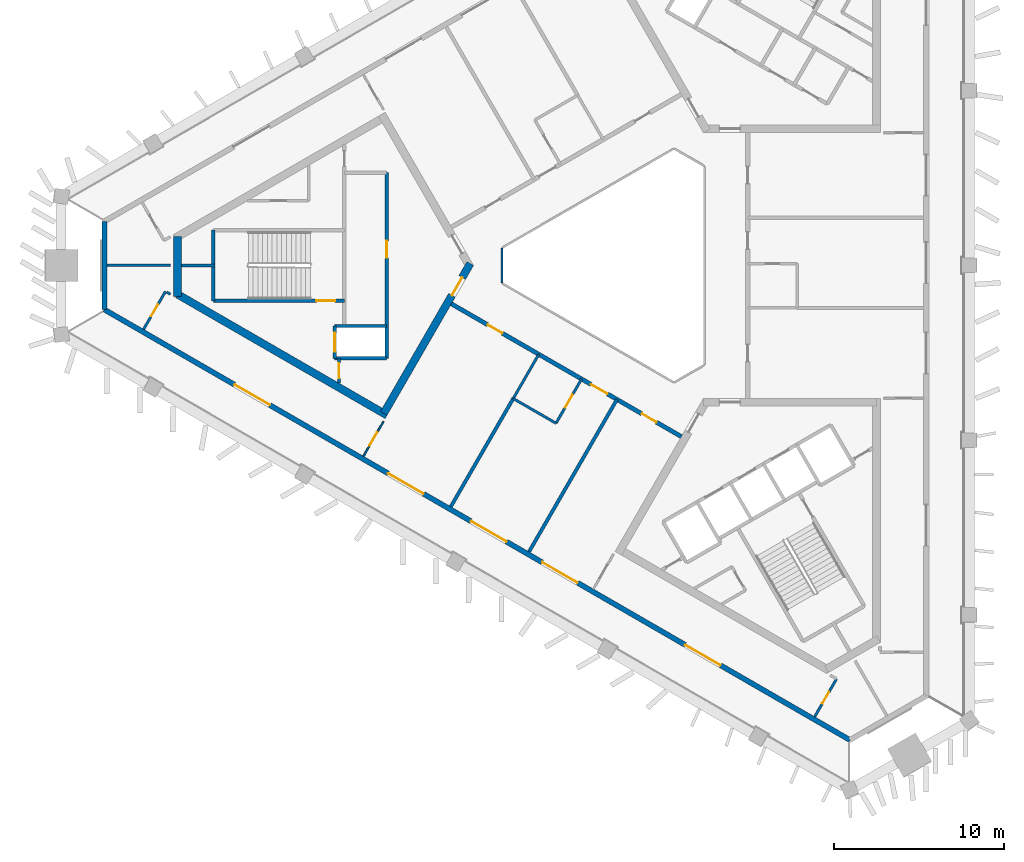
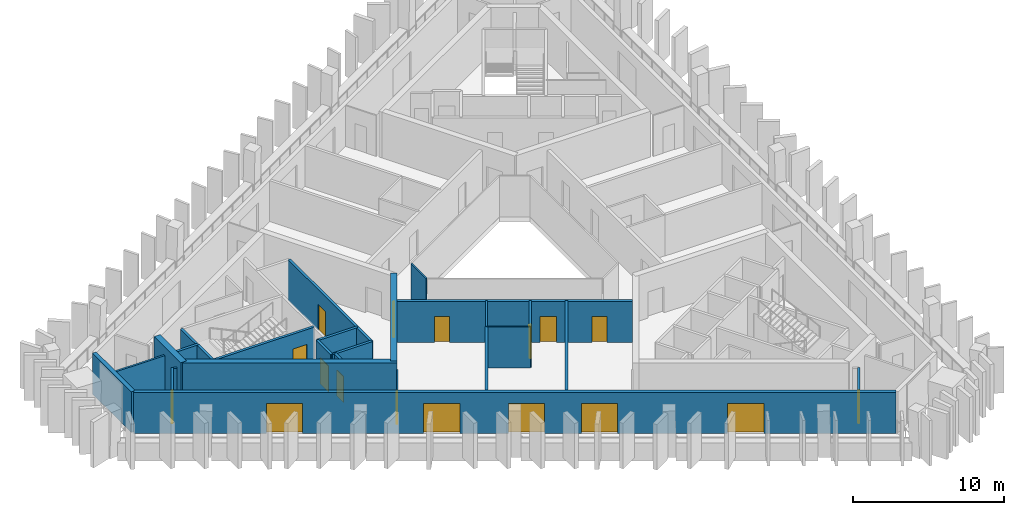
# One storey, part 2 of 9: 25 walls, 17 doors, 17 openings.
"""IFC4 building model written with IfcOpenShell, lengths in metres."""

from ifc_helpers import new_model, si_unit, direction, frame, frame_2d, origin, place, context, subcontext, project, spatial, rectangle, extrude, material, layer, layer_set, type_object, element, fill, save


model = new_model("IFC4")

# Units and contexts
model_context = context("Model", 3, precision=1e-05, world=origin(), true_north=direction((0.0, 1.0)))
body_context = subcontext(model_context, "Body", "Model", "MODEL_VIEW")
ifc_project = project(units=[si_unit("LENGTHUNIT", "METRE"), si_unit("AREAUNIT", "SQUARE_METRE"), si_unit("VOLUMEUNIT", "CUBIC_METRE"), si_unit("PLANEANGLEUNIT", "RADIAN"), si_unit("MASSUNIT", "GRAM", prefix="KILO")], contexts=[model_context])

# Site, building, storey
site_placement = place(None, origin())
site = spatial("IfcSite", under=ifc_project, at=site_placement, CompositionType="ELEMENT")
building_placement = place(site_placement, origin())
building = spatial("IfcBuilding", under=site, at=building_placement, Name="Jabali Bay Hotel Tower and Convention Centre", CompositionType="ELEMENT")
storey_placement = place(building_placement, frame((0.0, 0.0, 224.300048828125)))
storey = spatial("IfcBuildingStorey", under=building, at=storey_placement, Name="L55", CompositionType="ELEMENT", Elevation=224.300048828125)

# Walls
ifc_material_1 = material(Name="Fire-resistant glazing", Category="glass")
ifc_layer_1 = layer(ifc_material_1, 0.10009765625)
ifc_layer_set_1 = layer_set([ifc_layer_1], Name="Fire-resistant glazing")
wall_type_1 = type_object("IfcWallType", Name="Atrium glazed screen 100", PredefinedType="PARTITIONING", material=ifc_layer_set_1)
wall_1_placement = place(storey_placement, frame((67.672119140625, 81.0, 0.0), z_axis=(0.0, 0.0, 1.0), x_axis=(0.0, -1.0, 0.0)))
element("IfcWall", 1, at=wall_1_placement, inside=storey, type_object=wall_type_1, Name="Atrium screen 4 L55", PredefinedType="PARTITIONING", context=body_context, shape_type="SweptSolid", body=[
    extrude(rectangle(XDim=2.0, YDim=0.10009765625, at=frame_2d((1.0, 0.0))), origin(), (0.0, 0.0, 1.0), 3.300048828125),
])
ifc_material_2 = material(Name="Concrete C40", Category="concrete")
ifc_layer_2 = layer(ifc_material_2, 0.199951171875)
ifc_layer_set_2 = layer_set([ifc_layer_2], Name="Concrete C40")
wall_type_2 = type_object("IfcWallType", Name="Core partition wall 200", PredefinedType="PARTITIONING", material=ifc_layer_set_2)
wall_2_placement = place(storey_placement, frame((50.820068359375, 80.0, 0.0), z_axis=(0.0, 0.0, 1.0), x_axis=(-1.0, 0.0, 0.0)))
element("IfcWall", 2, at=wall_2_placement, inside=storey, type_object=wall_type_2, Name="Core wall 0.3 L55", PredefinedType="PARTITIONING", context=body_context, shape_type="SweptSolid", body=[
    extrude(rectangle(XDim=1.97314453125, YDim=0.199951171875, at=frame_2d((0.986572265625, 0.0))), origin(), (0.0, 0.0, 1.0), 3.300048828125),
])

# Wall, opening, door
wall_3_placement = place(storey_placement, frame((58.10009765625, 74.550048828125, 0.0), z_axis=(0.0, 0.0, 1.0), x_axis=(0.0, -1.0, 0.0)))
wall_3 = element("IfcWall", 3, at=wall_3_placement, inside=storey, type_object=wall_type_2, Name="Core wall 0.9 L55", PredefinedType="PARTITIONING", context=body_context, shape_type="SweptSolid", body=[
    extrude(rectangle(XDim=1.455078125, YDim=0.199951171875, at=frame_2d((0.7275390625, 0.0))), origin(), (0.0, 0.0, 1.0), 3.300048828125),
])
opening_1_placement = place(wall_3_placement, frame((0.277587890625, 0.0, 0.0)))
opening_1 = element("IfcOpeningElement", 4, at=opening_1_placement, cuts=wall_3, Name="Opening D1190", PredefinedType="OPENING", context=body_context, shape_type="SweptSolid", body=[
    extrude(rectangle(XDim=0.89990234375, YDim=2.10009765625, at=frame_2d((0.449951171875, 1.050048828125))), frame((0.0, 0.1103515625, 0.0), z_axis=(0.0, -1.0, 0.0), x_axis=(1.0, 0.0, 0.0)), (0.0, 0.0, 1.0), 0.220947265625),
])
ifc_material_3 = material(Name="Fire-rated steel door", Category="steel")
door_type_1 = type_object("IfcDoorType", Name="Vestibule fire door 900 x 2100", OperationType="NOTDEFINED", PredefinedType="NOTDEFINED", material=ifc_material_3)
door_1_placement = place(opening_1_placement, origin())
door_1 = element("IfcDoor", 5, at=door_1_placement, inside=storey, type_object=door_type_1, Name="Vestibule fire door D1190", OperationType="SINGLE_SWING_LEFT", OverallHeight=2.10009765625, OverallWidth=0.89990234375, PredefinedType="NOTDEFINED", context=body_context, shape_type="SweptSolid", body=[
    extrude(rectangle(XDim=0.89990234375, YDim=2.10009765625, at=frame_2d((0.449951171875, 1.050048828125))), frame((0.0, 0.02490234375, 0.0), z_axis=(0.0, -1.0, 0.0), x_axis=(1.0, 0.0, 0.0)), (0.0, 0.0, 1.0), 0.050048828125),
])
fill(opening_1, door_1)

ifc_layer_3 = layer(ifc_material_2, 0.199951171875)
ifc_layer_set_3 = layer_set([ifc_layer_3], Name="Concrete C40")
wall_type_3 = type_object("IfcWallType", Name="Core stair wall 200", PredefinedType="SOLIDWALL", material=ifc_layer_set_3)
wall_4_placement = place(storey_placement, frame((58.419921875, 77.925048828125, 0.0), z_axis=(0.0, 0.0, 1.0), x_axis=(-1.0, 0.0, 0.0)))
wall_4 = element("IfcWall", 6, at=wall_4_placement, inside=storey, type_object=wall_type_3, Name="Core wall 0.4 L55", PredefinedType="SOLIDWALL", context=body_context, shape_type="SweptSolid", body=[
    extrude(rectangle(XDim=7.699951171875, YDim=0.199951171875, at=frame_2d((3.85009765625, 0.0))), origin(), (0.0, 0.0, 1.0), 3.300048828125),
])
opening_2_placement = place(wall_4_placement, frame((0.550048828125, 0.0, 0.0)))
opening_2 = element("IfcOpeningElement", 7, at=opening_2_placement, cuts=wall_4, Name="Opening D1192", PredefinedType="OPENING", context=body_context, shape_type="SweptSolid", body=[
    extrude(rectangle(XDim=1.10009765625, YDim=2.10009765625, at=frame_2d((0.550048828125, 1.050048828125))), frame((0.0, 0.1103515625, 0.0), z_axis=(0.0, -1.0, 0.0), x_axis=(1.0, 0.0, 0.0)), (0.0, 0.0, 1.0), 0.220947265625),
])
door_type_2 = type_object("IfcDoorType", Name="Stair fire door 1100 x 2100", OperationType="NOTDEFINED", PredefinedType="NOTDEFINED", material=ifc_material_3)
door_2_placement = place(opening_2_placement, origin())
door_2 = element("IfcDoor", 8, at=door_2_placement, inside=storey, type_object=door_type_2, Name="Stair fire door D1192", OperationType="SINGLE_SWING_RIGHT", OverallHeight=2.10009765625, OverallWidth=1.10009765625, PredefinedType="NOTDEFINED", context=body_context, shape_type="SweptSolid", body=[
    extrude(rectangle(XDim=1.10009765625, YDim=2.10009765625, at=frame_2d((0.550048828125, 1.050048828125))), frame((0.0, 0.02490234375, 0.0), z_axis=(0.0, -1.0, 0.0), x_axis=(1.0, 0.0, 0.0)), (0.0, 0.0, 1.0), 0.050048828125),
])
fill(opening_2, door_2)

# Walls
for number, where, z_axis, x_axis, name in (
    (9, (60.89990234375, 76.449951171875, 0.0), (0.0, 0.0, 1.0), (-1.0, 0.0, 0.0), "Core wall 0.5 L55"),
    (10, (60.89990234375, 74.550048828125, 0.0), (0.0, 0.0, 1.0), (-1.0, 0.0, 0.0), "Core wall 0.6 L55"),
):
    element("IfcWall", number, at=place(storey_placement, frame(where, z_axis=z_axis, x_axis=x_axis)), inside=storey, type_object=wall_type_3, Name=name, PredefinedType="SOLIDWALL", context=body_context, shape_type="SweptSolid", body=[
        extrude(rectangle(XDim=3.0498046875, YDim=0.199951171875, at=frame_2d((1.52490234375, 0.0))), origin(), (0.0, 0.0, 1.0), 3.300048828125),
    ])

# Wall, opening, door
wall_5_placement = place(storey_placement, frame((60.89990234375, 85.449951171875, 0.0), z_axis=(0.0, 0.0, 1.0), x_axis=(0.0, -1.0, 0.0)))
wall_5 = element("IfcWall", 11, at=wall_5_placement, inside=storey, type_object=wall_type_3, Name="Core wall 0.7 L55", PredefinedType="SOLIDWALL", context=body_context, shape_type="SweptSolid", body=[
    extrude(rectangle(XDim=10.89990234375, YDim=0.199951171875, at=frame_2d((5.449951171875, 0.0))), origin(), (0.0, 0.0, 1.0), 3.300048828125),
])
opening_3_placement = place(wall_5_placement, frame((4.0, 0.0, 0.0)))
opening_3 = element("IfcOpeningElement", 12, at=opening_3_placement, cuts=wall_5, Name="Opening D1189", PredefinedType="OPENING", context=body_context, shape_type="SweptSolid", body=[
    extrude(rectangle(XDim=1.0, YDim=2.10009765625, at=frame_2d((0.5, 1.050048828125))), frame((0.0, 0.1103515625, 0.0), z_axis=(0.0, -1.0, 0.0), x_axis=(1.0, 0.0, 0.0)), (0.0, 0.0, 1.0), 0.220947265625),
])
door_type_3 = type_object("IfcDoorType", Name="Core room door 1000 x 2100", OperationType="NOTDEFINED", PredefinedType="NOTDEFINED", material=ifc_material_3)
door_3_placement = place(opening_3_placement, origin())
door_3 = element("IfcDoor", 13, at=door_3_placement, inside=storey, type_object=door_type_3, Name="Core room door D1189", OperationType="SINGLE_SWING_RIGHT", OverallHeight=2.10009765625, OverallWidth=1.0, PredefinedType="NOTDEFINED", context=body_context, shape_type="SweptSolid", body=[
    extrude(rectangle(XDim=1.0, YDim=2.10009765625, at=frame_2d((0.5, 1.050048828125))), frame((0.0, 0.02490234375, 0.0), z_axis=(0.0, -1.0, 0.0), x_axis=(1.0, 0.0, 0.0)), (0.0, 0.0, 1.0), 0.050048828125),
])
fill(opening_3, door_3)

wall_6_placement = place(storey_placement, frame((57.85009765625, 76.449951171875, 0.0), z_axis=(0.0, 0.0, 1.0), x_axis=(0.0, -1.0, 0.0)))
wall_6 = element("IfcWall", 14, at=wall_6_placement, inside=storey, type_object=wall_type_3, Name="Core wall 0.10 L55", PredefinedType="SOLIDWALL", context=body_context, shape_type="SweptSolid", body=[
    extrude(rectangle(XDim=1.89990234375, YDim=0.199951171875, at=frame_2d((0.949951171875, 0.0))), origin(), (0.0, 0.0, 1.0), 3.300048828125),
])
opening_4_placement = place(wall_6_placement, frame((0.39990234375, 0.0, 0.0)))
opening_4 = element("IfcOpeningElement", 15, at=opening_4_placement, cuts=wall_6, Name="Opening LD5-L55", PredefinedType="OPENING", context=body_context, shape_type="SweptSolid", body=[
    extrude(rectangle(XDim=1.10009765625, YDim=2.10009765625, at=frame_2d((0.550048828125, 1.050048828125))), frame((0.0, 0.1103515625, 0.0), z_axis=(0.0, -1.0, 0.0), x_axis=(1.0, 0.0, 0.0)), (0.0, 0.0, 1.0), 0.220947265625),
])
ifc_material_4 = material(Name="Stainless steel landing door", Category="steel")
door_type_4 = type_object("IfcDoorType", Name="Landing door 1100 x 2100", OperationType="NOTDEFINED", PredefinedType="NOTDEFINED", material=ifc_material_4)
door_4_placement = place(opening_4_placement, origin())
door_4 = element("IfcDoor", 16, at=door_4_placement, inside=storey, type_object=door_type_4, Name="Landing doors LD5-L55", OperationType="SLIDING_TO_RIGHT", OverallHeight=2.10009765625, OverallWidth=1.10009765625, PredefinedType="NOTDEFINED", context=body_context, shape_type="SweptSolid", body=[
    extrude(rectangle(XDim=1.10009765625, YDim=2.10009765625, at=frame_2d((0.550048828125, 1.050048828125))), frame((0.0, 0.02490234375, 0.0), z_axis=(0.0, -1.0, 0.0), x_axis=(1.0, 0.0, 0.0)), (0.0, 0.0, 1.0), 0.050048828125),
])
fill(opening_4, door_4)

# Walls
wall_7_placement = place(storey_placement, frame((50.719970703125, 82.074951171875, 0.0), z_axis=(0.0, 0.0, 1.0), x_axis=(0.0, -1.0, 0.0)))
element("IfcWall", 17, at=wall_7_placement, inside=storey, type_object=wall_type_3, Name="Core wall 0.12 L55", PredefinedType="SOLIDWALL", context=body_context, shape_type="SweptSolid", body=[
    extrude(rectangle(XDim=4.14990234375, YDim=0.199951171875, at=frame_2d((2.074951171875, 0.0))), origin(), (0.0, 0.0, 1.0), 3.300048828125),
])
ifc_material_5 = material(Name="Concrete C60", Category="concrete")
ifc_layer_4 = layer(ifc_material_5, 0.449951171875)
ifc_layer_set_4 = layer_set([ifc_layer_4], Name="Concrete C60")
wall_type_4 = type_object("IfcWallType", Name="Core wall 450", PredefinedType="SHEAR", material=ifc_layer_set_4)
wall_8_placement = place(storey_placement, frame((48.621826171875, 81.692626953125, 0.0), z_axis=(0.0, 0.0, 1.0), x_axis=(0.0, -1.0, 0.0)))
element("IfcWall", 18, at=wall_8_placement, inside=storey, type_object=wall_type_4, Name="Core wall 1.3 L55", PredefinedType="SHEAR", context=body_context, shape_type="SweptSolid", body=[
    extrude(rectangle(XDim=3.515380859375, YDim=0.449951171875, at=frame_2d((1.7578125, 0.0))), origin(), (0.0, 0.0, 1.0), 3.699951171875),
])
wall_9_placement = place(storey_placement, frame((48.621826171875, 78.307373046875, 0.0), z_axis=(0.0, 0.0, 1.0), x_axis=(0.86602701116, -0.499997215934, 0.0)))
element("IfcWall", 19, at=wall_9_placement, inside=storey, type_object=wall_type_4, Name="Core wall 1.4 L55", PredefinedType="SHEAR", context=body_context, shape_type="SweptSolid", body=[
    extrude(rectangle(XDim=14.20361328125, YDim=0.449951171875, at=frame_2d((7.101806640625, 0.0))), origin(), (0.0, 0.0, 1.0), 3.699951171875),
])

# Wall, opening, door
wall_10_placement = place(storey_placement, frame((60.7275390625, 71.318115234375, 0.0), z_axis=(0.0, 0.0, 1.0), x_axis=(0.500012416173, 0.866018235185, 0.0)))
wall_10 = element("IfcWall", 20, at=wall_10_placement, inside=storey, type_object=wall_type_4, Name="Core wall 1.5 L55", PredefinedType="SHEAR", context=body_context, shape_type="SweptSolid", body=[
    extrude(rectangle(XDim=10.155029296875, YDim=0.449951171875, at=frame_2d((5.07763671875, 0.0))), origin(), (0.0, 0.0, 1.0), 3.699951171875),
])
opening_5_placement = place(wall_10_placement, frame((8.0048828125, 0.0, 0.0)))
opening_5 = element("IfcOpeningElement", 21, at=opening_5_placement, cuts=wall_10, Name="Opening D1188", PredefinedType="OPENING", context=body_context, shape_type="SweptSolid", body=[
    extrude(rectangle(XDim=1.199951171875, YDim=2.10009765625, at=frame_2d((0.60009765625, 1.050048828125))), frame((0.0, 0.2353515625, 0.0), z_axis=(0.0, -1.0, 0.0), x_axis=(1.0, 0.0, 0.0)), (0.0, 0.0, 1.0), 0.470947265625),
])
door_type_5 = type_object("IfcDoorType", Name="Corridor end fire door 1200 x 2100", OperationType="NOTDEFINED", PredefinedType="NOTDEFINED", material=ifc_material_3)
door_5_placement = place(opening_5_placement, origin())
door_5 = element("IfcDoor", 22, at=door_5_placement, inside=storey, type_object=door_type_5, Name="Corridor end fire door D1188", OperationType="SINGLE_SWING_LEFT", OverallHeight=2.10009765625, OverallWidth=1.199951171875, PredefinedType="NOTDEFINED", context=body_context, shape_type="SweptSolid", body=[
    extrude(rectangle(XDim=1.199951171875, YDim=2.10009765625, at=frame_2d((0.60009765625, 1.050048828125))), frame((0.0, 0.02490234375, 0.0), z_axis=(0.0, -1.0, 0.0), x_axis=(1.0, 0.0, 0.0)), (0.0, 0.0, 1.0), 0.050048828125),
])
fill(opening_5, door_5)

# Wall, openings, doors
ifc_layer_5 = layer(ifc_material_5, 0.25)
ifc_layer_set_5 = layer_set([ifc_layer_5], Name="Concrete C60")
wall_type_5 = type_object("IfcWallType", Name="Corridor wall 250", PredefinedType="SHEAR", material=ifc_layer_set_5)
wall_11_placement = place(storey_placement, frame((64.699951171875, 77.748291015625, 0.0), z_axis=(0.0, 0.0, 1.0), x_axis=(0.866026492143, -0.499998114903, 0.0)))
wall_11 = element("IfcWall", 23, at=wall_11_placement, inside=storey, type_object=wall_type_5, Name="Corridor wall 3 L55", PredefinedType="SHEAR", context=body_context, shape_type="SweptSolid", body=[
    extrude(rectangle(XDim=15.58837890625, YDim=0.25, at=frame_2d((7.794189453125, 0.0))), origin(), (0.0, 0.0, 1.0), 3.300048828125),
])
opening_6_placement = place(wall_11_placement, frame((2.4619140625, 0.0, 0.0)))
opening_6 = element("IfcOpeningElement", 24, at=opening_6_placement, cuts=wall_11, Name="Opening 5517", PredefinedType="OPENING", context=body_context, shape_type="SweptSolid", body=[
    extrude(rectangle(XDim=1.0, YDim=2.10009765625, at=frame_2d((0.5, 1.050048828125))), frame((0.0, 0.135498046875, 0.0), z_axis=(0.0, -1.0, 0.0), x_axis=(1.0, 0.0, 0.0)), (0.0, 0.0, 1.0), 0.27099609375),
])
opening_7_placement = place(wall_11_placement, frame((9.4736328125, 0.0, 0.0)))
opening_7 = element("IfcOpeningElement", 25, at=opening_7_placement, cuts=wall_11, Name="Opening 5521", PredefinedType="OPENING", context=body_context, shape_type="SweptSolid", body=[
    extrude(rectangle(XDim=1.10009765625, YDim=2.10009765625, at=frame_2d((0.550048828125, 1.050048828125))), frame((0.0, 0.135498046875, 0.0), z_axis=(0.0, -1.0, 0.0), x_axis=(1.0, 0.0, 0.0)), (0.0, 0.0, 1.0), 0.27099609375),
])
opening_8_placement = place(wall_11_placement, frame((12.906005859375, 0.0, 0.0)))
opening_8 = element("IfcOpeningElement", 26, at=opening_8_placement, cuts=wall_11, Name="Opening 5522", PredefinedType="OPENING", context=body_context, shape_type="SweptSolid", body=[
    extrude(rectangle(XDim=1.0, YDim=2.10009765625, at=frame_2d((0.5, 1.050048828125))), frame((0.0, 0.135498046875, 0.0), z_axis=(0.0, -1.0, 0.0), x_axis=(1.0, 0.0, 0.0)), (0.0, 0.0, 1.0), 0.27099609375),
])
ifc_material_6 = material(Name="Timber", Category="wood")
door_type_6 = type_object("IfcDoorType", Name="Accessible guest room door 1100 x 2100", OperationType="NOTDEFINED", PredefinedType="NOTDEFINED", material=ifc_material_6)
door_6_placement = place(opening_7_placement, origin())
door_6 = element("IfcDoor", 27, at=door_6_placement, inside=storey, type_object=door_type_6, Name="Door 5521", OperationType="SINGLE_SWING_RIGHT", OverallHeight=2.10009765625, OverallWidth=1.10009765625, PredefinedType="NOTDEFINED", context=body_context, shape_type="SweptSolid", body=[
    extrude(rectangle(XDim=1.10009765625, YDim=2.10009765625, at=frame_2d((0.550048828125, 1.050048828125))), frame((0.0, 0.02490234375, 0.0), z_axis=(0.0, -1.0, 0.0), x_axis=(1.0, 0.0, 0.0)), (0.0, 0.0, 1.0), 0.050048828125),
])
fill(opening_7, door_6)
door_type_7 = type_object("IfcDoorType", Name="Guest room door 1000 x 2100", OperationType="NOTDEFINED", PredefinedType="NOTDEFINED", material=ifc_material_6)
door_7_placement = place(opening_6_placement, origin())
door_7 = element("IfcDoor", 28, at=door_7_placement, inside=storey, type_object=door_type_7, Name="Door 5517", OperationType="SINGLE_SWING_LEFT", OverallHeight=2.10009765625, OverallWidth=1.0, PredefinedType="NOTDEFINED", context=body_context, shape_type="SweptSolid", body=[
    extrude(rectangle(XDim=1.0, YDim=2.10009765625, at=frame_2d((0.5, 1.050048828125))), frame((0.0, 0.02490234375, 0.0), z_axis=(0.0, -1.0, 0.0), x_axis=(1.0, 0.0, 0.0)), (0.0, 0.0, 1.0), 0.050048828125),
])
fill(opening_6, door_7)
door_8_placement = place(opening_8_placement, origin())
door_8 = element("IfcDoor", 29, at=door_8_placement, inside=storey, type_object=door_type_7, Name="Door 5522", OperationType="SINGLE_SWING_RIGHT", OverallHeight=2.10009765625, OverallWidth=1.0, PredefinedType="NOTDEFINED", context=body_context, shape_type="SweptSolid", body=[
    extrude(rectangle(XDim=1.0, YDim=2.10009765625, at=frame_2d((0.5, 1.050048828125))), frame((0.0, 0.02490234375, 0.0), z_axis=(0.0, -1.0, 0.0), x_axis=(1.0, 0.0, 0.0)), (0.0, 0.0, 1.0), 0.050048828125),
])
fill(opening_8, door_8)

# Wall
ifc_layer_6 = layer(ifc_material_2, 0.300048828125)
ifc_layer_set_6 = layer_set([ifc_layer_6], Name="Concrete C40")
wall_type_6 = type_object("IfcWallType", Name="External wall 300", PredefinedType="SOLIDWALL", material=ifc_layer_set_6)
wall_12_placement = place(storey_placement, frame((44.32373046875, 77.41455078125, 0.0), z_axis=(0.0, 0.0, 1.0), x_axis=(0.0, 1.0, 0.0)))
element("IfcWall", 30, at=wall_12_placement, inside=storey, type_object=wall_type_6, Name="External wall west chamfer L55", PredefinedType="SOLIDWALL", context=body_context, shape_type="SweptSolid", body=[
    extrude(rectangle(XDim=5.1708984375, YDim=0.300048828125, at=frame_2d((2.58544921875, 0.0))), origin(), (0.0, 0.0, 1.0), 3.300048828125),
])

# Wall, openings, doors
wall_13_placement = place(storey_placement, frame((88.09912109375, 52.140869140625, 0.0), z_axis=(0.0, 0.0, 1.0), x_axis=(-0.86602584856, 0.499999229625, 0.0)))
wall_13 = element("IfcWall", 31, at=wall_13_placement, inside=storey, type_object=wall_type_6, Name="External wall south-west face L55", PredefinedType="SOLIDWALL", context=body_context, shape_type="SweptSolid", body=[
    extrude(rectangle(XDim=50.54736328125, YDim=0.300048828125, at=frame_2d((25.273681640625, 0.0))), origin(), (0.0, 0.0, 1.0), 3.300048828125),
])
opening_9_placement = place(wall_13_placement, frame((23.294189453125, 0.0, 0.0)))
opening_9 = element("IfcOpeningElement", 32, at=opening_9_placement, cuts=wall_13, Name="Opening SD1", PredefinedType="OPENING", context=body_context, shape_type="SweptSolid", body=[
    extrude(rectangle(XDim=2.39990234375, YDim=2.39990234375, at=frame_2d((1.199951171875, 1.199951171875))), frame((0.0, 0.16064453125, 0.0), z_axis=(0.0, -1.0, 0.0), x_axis=(1.0, 0.0, 0.0)), (0.0, 0.0, 1.0), 0.321044921875),
])
opening_10_placement = place(wall_13_placement, frame((28.906005859375, 0.0, 0.0)))
opening_10 = element("IfcOpeningElement", 33, at=opening_10_placement, cuts=wall_13, Name="Opening SD1", PredefinedType="OPENING", context=body_context, shape_type="SweptSolid", body=[
    extrude(rectangle(XDim=2.39990234375, YDim=2.39990234375, at=frame_2d((1.199951171875, 1.199951171875))), frame((0.0, 0.16064453125, 0.0), z_axis=(0.0, -1.0, 0.0), x_axis=(1.0, 0.0, 0.0)), (0.0, 0.0, 1.0), 0.321044921875),
])
opening_11_placement = place(wall_13_placement, frame((39.327880859375, 0.0, 0.0)))
opening_11 = element("IfcOpeningElement", 34, at=opening_11_placement, cuts=wall_13, Name="Opening SD1", PredefinedType="OPENING", context=body_context, shape_type="SweptSolid", body=[
    extrude(rectangle(XDim=2.39990234375, YDim=2.39990234375, at=frame_2d((1.199951171875, 1.199951171875))), frame((0.0, 0.16064453125, 0.0), z_axis=(0.0, -1.0, 0.0), x_axis=(1.0, 0.0, 0.0)), (0.0, 0.0, 1.0), 0.321044921875),
])
opening_12_placement = place(wall_13_placement, frame((18.4619140625, 0.0, 0.0)))
opening_12 = element("IfcOpeningElement", 35, at=opening_12_placement, cuts=wall_13, Name="Opening SD1", PredefinedType="OPENING", context=body_context, shape_type="SweptSolid", body=[
    extrude(rectangle(XDim=2.39990234375, YDim=2.39990234375, at=frame_2d((1.199951171875, 1.199951171875))), frame((0.0, 0.16064453125, 0.0), z_axis=(0.0, -1.0, 0.0), x_axis=(1.0, 0.0, 0.0)), (0.0, 0.0, 1.0), 0.321044921875),
])
opening_13_placement = place(wall_13_placement, frame((8.7705078125, 0.0, 0.0)))
opening_13 = element("IfcOpeningElement", 36, at=opening_13_placement, cuts=wall_13, Name="Opening SD1", PredefinedType="OPENING", context=body_context, shape_type="SweptSolid", body=[
    extrude(rectangle(XDim=2.39990234375, YDim=2.39990234375, at=frame_2d((1.199951171875, 1.199951171875))), frame((0.0, 0.16064453125, 0.0), z_axis=(0.0, -1.0, 0.0), x_axis=(1.0, 0.0, 0.0)), (0.0, 0.0, 1.0), 0.321044921875),
])
ifc_material_7 = material(Name="Glass", Category="glass")
door_type_8 = type_object("IfcDoorType", Name="Loggia sliding door 2400 x 2400", OperationType="NOTDEFINED", PredefinedType="NOTDEFINED", material=ifc_material_7)
door_9_placement = place(opening_9_placement, origin())
door_9 = element("IfcDoor", 37, at=door_9_placement, inside=storey, type_object=door_type_8, Name="Loggia sliding door 5508", OperationType="SLIDING_TO_LEFT", OverallHeight=2.39990234375, OverallWidth=2.39990234375, PredefinedType="NOTDEFINED", context=body_context, shape_type="SweptSolid", body=[
    extrude(rectangle(XDim=2.39990234375, YDim=2.39990234375, at=frame_2d((1.199951171875, 1.199951171875))), frame((0.0, 0.02490234375, 0.0), z_axis=(0.0, -1.0, 0.0), x_axis=(1.0, 0.0, 0.0)), (0.0, 0.0, 1.0), 0.050048828125),
])
fill(opening_9, door_9)
door_10_placement = place(opening_10_placement, origin())
door_10 = element("IfcDoor", 38, at=door_10_placement, inside=storey, type_object=door_type_8, Name="Loggia sliding door 5507", OperationType="SLIDING_TO_RIGHT", OverallHeight=2.39990234375, OverallWidth=2.39990234375, PredefinedType="NOTDEFINED", context=body_context, shape_type="SweptSolid", body=[
    extrude(rectangle(XDim=2.39990234375, YDim=2.39990234375, at=frame_2d((1.199951171875, 1.199951171875))), frame((0.0, 0.02490234375, 0.0), z_axis=(0.0, -1.0, 0.0), x_axis=(1.0, 0.0, 0.0)), (0.0, 0.0, 1.0), 0.050048828125),
])
fill(opening_10, door_10)
door_11_placement = place(opening_11_placement, origin())
door_11 = element("IfcDoor", 39, at=door_11_placement, inside=storey, type_object=door_type_8, Name="Loggia sliding door 5507", OperationType="SLIDING_TO_LEFT", OverallHeight=2.39990234375, OverallWidth=2.39990234375, PredefinedType="NOTDEFINED", context=body_context, shape_type="SweptSolid", body=[
    extrude(rectangle(XDim=2.39990234375, YDim=2.39990234375, at=frame_2d((1.199951171875, 1.199951171875))), frame((0.0, 0.02490234375, 0.0), z_axis=(0.0, -1.0, 0.0), x_axis=(1.0, 0.0, 0.0)), (0.0, 0.0, 1.0), 0.050048828125),
])
fill(opening_11, door_11)
door_12_placement = place(opening_12_placement, origin())
door_12 = element("IfcDoor", 40, at=door_12_placement, inside=storey, type_object=door_type_8, Name="Loggia sliding door 5509", OperationType="SLIDING_TO_RIGHT", OverallHeight=2.39990234375, OverallWidth=2.39990234375, PredefinedType="NOTDEFINED", context=body_context, shape_type="SweptSolid", body=[
    extrude(rectangle(XDim=2.39990234375, YDim=2.39990234375, at=frame_2d((1.199951171875, 1.199951171875))), frame((0.0, 0.02490234375, 0.0), z_axis=(0.0, -1.0, 0.0), x_axis=(1.0, 0.0, 0.0)), (0.0, 0.0, 1.0), 0.050048828125),
])
fill(opening_12, door_12)
door_13_placement = place(opening_13_placement, origin())
door_13 = element("IfcDoor", 41, at=door_13_placement, inside=storey, type_object=door_type_8, Name="Loggia sliding door 5509", OperationType="SLIDING_TO_LEFT", OverallHeight=2.39990234375, OverallWidth=2.39990234375, PredefinedType="NOTDEFINED", context=body_context, shape_type="SweptSolid", body=[
    extrude(rectangle(XDim=2.39990234375, YDim=2.39990234375, at=frame_2d((1.199951171875, 1.199951171875))), frame((0.0, 0.02490234375, 0.0), z_axis=(0.0, -1.0, 0.0), x_axis=(1.0, 0.0, 0.0)), (0.0, 0.0, 1.0), 0.050048828125),
])
fill(opening_13, door_13)

# Wall, opening, door
ifc_material_8 = material(Name="Plasterboard on steel stud", Category="steel")
ifc_layer_7 = layer(ifc_material_8, 0.10009765625)
ifc_layer_set_7 = layer_set([ifc_layer_7], Name="Plasterboard on steel stud")
wall_type_7 = type_object("IfcWallType", Name="Partition 100 unit", PredefinedType="PARTITIONING", material=ifc_layer_set_7)
wall_14_placement = place(storey_placement, frame((60.71044921875, 70.83837890625, 0.0), z_axis=(0.0, 0.0, 1.0), x_axis=(-0.499950341091, -0.86605407247, 0.0)))
wall_14 = element("IfcWall", 42, at=wall_14_placement, inside=storey, type_object=wall_type_7, Name="Partition P02 L55 026", PredefinedType="PARTITIONING", context=body_context, shape_type="SweptSolid", body=[
    extrude(rectangle(XDim=2.349365234375, YDim=0.10009765625, at=frame_2d((1.1748046875, 0.0))), origin(), (0.0, 0.0, 1.0), 3.300048828125),
])
opening_14_placement = place(wall_14_placement, frame((0.72509765625, 0.0, 0.0)))
opening_14 = element("IfcOpeningElement", 43, at=opening_14_placement, cuts=wall_14, Name="Opening 5518", PredefinedType="OPENING", context=body_context, shape_type="SweptSolid", body=[
    extrude(rectangle(XDim=0.89990234375, YDim=2.10009765625, at=frame_2d((0.449951171875, 1.050048828125))), frame((0.0, 0.060546875, 0.0), z_axis=(0.0, -1.0, 0.0), x_axis=(1.0, 0.0, 0.0)), (0.0, 0.0, 1.0), 0.12109375),
])
door_type_9 = type_object("IfcDoorType", Name="Internal door 900 x 2100", OperationType="NOTDEFINED", PredefinedType="NOTDEFINED", material=ifc_material_6)
door_14_placement = place(opening_14_placement, origin())
door_14 = element("IfcDoor", 44, at=door_14_placement, inside=storey, type_object=door_type_9, Name="Door 5518", OperationType="SINGLE_SWING_RIGHT", OverallHeight=2.10009765625, OverallWidth=0.89990234375, PredefinedType="NOTDEFINED", context=body_context, shape_type="SweptSolid", body=[
    extrude(rectangle(XDim=0.89990234375, YDim=2.10009765625, at=frame_2d((0.449951171875, 1.050048828125))), frame((0.0, 0.02490234375, 0.0), z_axis=(0.0, -1.0, 0.0), x_axis=(1.0, 0.0, 0.0)), (0.0, 0.0, 1.0), 0.050048828125),
])
fill(opening_14, door_14)

# Walls
ifc_layer_8 = layer(ifc_material_8, 0.14990234375)
ifc_layer_set_8 = layer_set([ifc_layer_8], Name="Plasterboard on steel stud")
wall_type_8 = type_object("IfcWallType", Name="Partition 150 wet", PredefinedType="PARTITIONING", material=ifc_layer_set_8)
wall_15_placement = place(storey_placement, frame((44.47265625, 80.0009765625, 0.0), z_axis=(0.0, 0.0, 1.0), x_axis=(1.0, 0.0, 0.0)))
element("IfcWall", 45, at=wall_15_placement, inside=storey, type_object=wall_type_8, Name="Partition P03 L55 025", PredefinedType="PARTITIONING", context=body_context, shape_type="SweptSolid", body=[
    extrude(rectangle(XDim=3.725341796875, YDim=0.14990234375, at=frame_2d((1.86279296875, 0.0))), origin(), (0.0, 0.0, 1.0), 3.300048828125),
])
wall_16_placement = place(storey_placement, frame((68.330078125, 72.1884765625, 0.0), z_axis=(0.0, 0.0, 1.0), x_axis=(0.499990139034, 0.866031096941, 0.0)))
element("IfcWall", 46, at=wall_16_placement, inside=storey, type_object=wall_type_8, Name="Partition P03 L55 028", PredefinedType="PARTITIONING", context=body_context, shape_type="SweptSolid", body=[
    extrude(rectangle(XDim=3.0, YDim=0.14990234375, at=frame_2d((1.5, 0.0))), origin(), (0.0, 0.0, 1.0), 3.300048828125),
])
wall_17_placement = place(storey_placement, frame((48.197998046875, 78.314208984375, 0.0), z_axis=(0.0, 0.0, 1.0), x_axis=(-0.866054481515, 0.499949632511, 0.0)))
element("IfcWall", 47, at=wall_17_placement, inside=storey, type_object=wall_type_8, Name="Partition P03 L55 029", PredefinedType="PARTITIONING", context=body_context, shape_type="SweptSolid", body=[
    extrude(rectangle(XDim=0.248046875, YDim=0.14990234375, at=frame_2d((0.1240234375, 0.0))), origin(), (0.0, 0.0, 1.0), 3.300048828125),
])

# Wall, opening, door
wall_18_placement = place(storey_placement, frame((47.913818359375, 78.478271484375, 0.0), z_axis=(0.0, 0.0, 1.0), x_axis=(-0.50000507078, -0.866022476149, 0.0)))
wall_18 = element("IfcWall", 48, at=wall_18_placement, inside=storey, type_object=wall_type_8, Name="Partition P03 L55 030", PredefinedType="PARTITIONING", context=body_context, shape_type="SweptSolid", body=[
    extrude(rectangle(XDim=2.5673828125, YDim=0.14990234375, at=frame_2d((1.28369140625, 0.0))), origin(), (0.0, 0.0, 1.0), 3.300048828125),
])
opening_15_placement = place(wall_18_placement, frame((0.884033203125, 0.0, 0.0)))
opening_15 = element("IfcOpeningElement", 49, at=opening_15_placement, cuts=wall_18, Name="Opening 5519", PredefinedType="OPENING", context=body_context, shape_type="SweptSolid", body=[
    extrude(rectangle(XDim=0.800048828125, YDim=2.10009765625, at=frame_2d((0.39990234375, 1.050048828125))), frame((0.0, 0.08544921875, 0.0), z_axis=(0.0, -1.0, 0.0), x_axis=(1.0, 0.0, 0.0)), (0.0, 0.0, 1.0), 0.1708984375),
])
door_type_10 = type_object("IfcDoorType", Name="En-suite door 800 x 2100", OperationType="NOTDEFINED", PredefinedType="NOTDEFINED", material=ifc_material_6)
door_15_placement = place(opening_15_placement, origin())
door_15 = element("IfcDoor", 50, at=door_15_placement, inside=storey, type_object=door_type_10, Name="Door 5519", OperationType="SINGLE_SWING_LEFT", OverallHeight=2.10009765625, OverallWidth=0.800048828125, PredefinedType="NOTDEFINED", context=body_context, shape_type="SweptSolid", body=[
    extrude(rectangle(XDim=0.800048828125, YDim=2.10009765625, at=frame_2d((0.39990234375, 1.050048828125))), frame((0.0, 0.02490234375, 0.0), z_axis=(0.0, -1.0, 0.0), x_axis=(1.0, 0.0, 0.0)), (0.0, 0.0, 1.0), 0.050048828125),
])
fill(opening_15, door_15)

wall_19_placement = place(storey_placement, frame((72.341552734375, 73.33642578125, 0.0), z_axis=(0.0, 0.0, 1.0), x_axis=(-0.50002537861, -0.866010750942, 0.0)))
wall_19 = element("IfcWall", 51, at=wall_19_placement, inside=storey, type_object=wall_type_8, Name="Partition P03 L55 031", PredefinedType="PARTITIONING", context=body_context, shape_type="SweptSolid", body=[
    extrude(rectangle(XDim=2.999755859375, YDim=0.14990234375, at=frame_2d((1.5, 0.0))), origin(), (0.0, 0.0, 1.0), 3.300048828125),
])
opening_16_placement = place(wall_19_placement, frame((1.050048828125, 0.0, 0.0)))
opening_16 = element("IfcOpeningElement", 52, at=opening_16_placement, cuts=wall_19, Name="Opening 5520", PredefinedType="OPENING", context=body_context, shape_type="SweptSolid", body=[
    extrude(rectangle(XDim=0.89990234375, YDim=2.10009765625, at=frame_2d((0.449951171875, 1.050048828125))), frame((0.0, 0.08544921875, 0.0), z_axis=(0.0, -1.0, 0.0), x_axis=(1.0, 0.0, 0.0)), (0.0, 0.0, 1.0), 0.1708984375),
])
door_type_11 = type_object("IfcDoorType", Name="Accessible en-suite door 900 x 2100", OperationType="NOTDEFINED", PredefinedType="NOTDEFINED", material=ifc_material_6)
door_16_placement = place(opening_16_placement, origin())
door_16 = element("IfcDoor", 53, at=door_16_placement, inside=storey, type_object=door_type_11, Name="Door 5520", OperationType="SINGLE_SWING_LEFT", OverallHeight=2.10009765625, OverallWidth=0.89990234375, PredefinedType="NOTDEFINED", context=body_context, shape_type="SweptSolid", body=[
    extrude(rectangle(XDim=0.89990234375, YDim=2.10009765625, at=frame_2d((0.449951171875, 1.050048828125))), frame((0.0, 0.02490234375, 0.0), z_axis=(0.0, -1.0, 0.0), x_axis=(1.0, 0.0, 0.0)), (0.0, 0.0, 1.0), 0.050048828125),
])
fill(opening_16, door_16)

# Wall
wall_20_placement = place(storey_placement, frame((70.841552734375, 70.738525390625, 0.0), z_axis=(0.0, 0.0, 1.0), x_axis=(-0.866032775405, 0.499987231761, 0.0)))
element("IfcWall", 54, at=wall_20_placement, inside=storey, type_object=wall_type_8, Name="Partition P03 L55 032", PredefinedType="PARTITIONING", context=body_context, shape_type="SweptSolid", body=[
    extrude(rectangle(XDim=2.89990234375, YDim=0.14990234375, at=frame_2d((1.449951171875, 0.0))), origin(), (0.0, 0.0, 1.0), 3.300048828125),
])

# Wall, opening, door
wall_21_placement = place(storey_placement, frame((86.026123046875, 53.509521484375, 0.0), z_axis=(0.0, 0.0, 1.0), x_axis=(0.50000507078, 0.866022476149, 0.0)))
wall_21 = element("IfcWall", 55, at=wall_21_placement, inside=storey, type_object=wall_type_8, Name="Partition P03 L55 035", PredefinedType="PARTITIONING", context=body_context, shape_type="SweptSolid", body=[
    extrude(rectangle(XDim=2.5673828125, YDim=0.14990234375, at=frame_2d((1.28369140625, 0.0))), origin(), (0.0, 0.0, 1.0), 3.300048828125),
])
opening_17_placement = place(wall_21_placement, frame((0.884033203125, 0.0, 0.0)))
opening_17 = element("IfcOpeningElement", 56, at=opening_17_placement, cuts=wall_21, Name="Opening 5524", PredefinedType="OPENING", context=body_context, shape_type="SweptSolid", body=[
    extrude(rectangle(XDim=0.800048828125, YDim=2.10009765625, at=frame_2d((0.39990234375, 1.050048828125))), frame((0.0, 0.08544921875, 0.0), z_axis=(0.0, -1.0, 0.0), x_axis=(1.0, 0.0, 0.0)), (0.0, 0.0, 1.0), 0.1708984375),
])
door_17_placement = place(opening_17_placement, origin())
door_17 = element("IfcDoor", 57, at=door_17_placement, inside=storey, type_object=door_type_10, Name="Door 5524", OperationType="SINGLE_SWING_LEFT", OverallHeight=2.10009765625, OverallWidth=0.800048828125, PredefinedType="NOTDEFINED", context=body_context, shape_type="SweptSolid", body=[
    extrude(rectangle(XDim=0.800048828125, YDim=2.10009765625, at=frame_2d((0.39990234375, 1.050048828125))), frame((0.0, 0.02490234375, 0.0), z_axis=(0.0, -1.0, 0.0), x_axis=(1.0, 0.0, 0.0)), (0.0, 0.0, 1.0), 0.050048828125),
])
fill(opening_17, door_17)

# Walls
ifc_layer_9 = layer(ifc_material_8, 0.199951171875)
ifc_layer_set_9 = layer_set([ifc_layer_9], Name="Plasterboard on steel stud")
wall_type_9 = type_object("IfcWallType", Name="Partition 200 party", PredefinedType="PARTITIONING", material=ifc_layer_set_9)
wall_22_placement = place(storey_placement, frame((64.665771484375, 65.842041015625, 0.0), z_axis=(0.0, 0.0, 1.0), x_axis=(0.500019482754, 0.866014155119, 0.0)))
element("IfcWall", 58, at=wall_22_placement, inside=storey, type_object=wall_type_9, Name="Partition P01 L55 027", PredefinedType="PARTITIONING", context=body_context, shape_type="SweptSolid", body=[
    extrude(rectangle(XDim=7.328369140625, YDim=0.199951171875, at=frame_2d((3.6640625, 0.0))), origin(), (0.0, 0.0, 1.0), 3.300048828125),
])
wall_23_placement = place(storey_placement, frame((69.255859375, 63.19189453125, 0.0), z_axis=(0.0, 0.0, 1.0), x_axis=(0.499993230995, 0.866029311836, 0.0)))
element("IfcWall", 59, at=wall_23_placement, inside=storey, type_object=wall_type_9, Name="Partition P01 L55 033", PredefinedType="PARTITIONING", context=body_context, shape_type="SweptSolid", body=[
    extrude(rectangle(XDim=10.328369140625, YDim=0.199951171875, at=frame_2d((5.1640625, 0.0))), origin(), (0.0, 0.0, 1.0), 3.300048828125),
])

save(model, "model.ifc")
